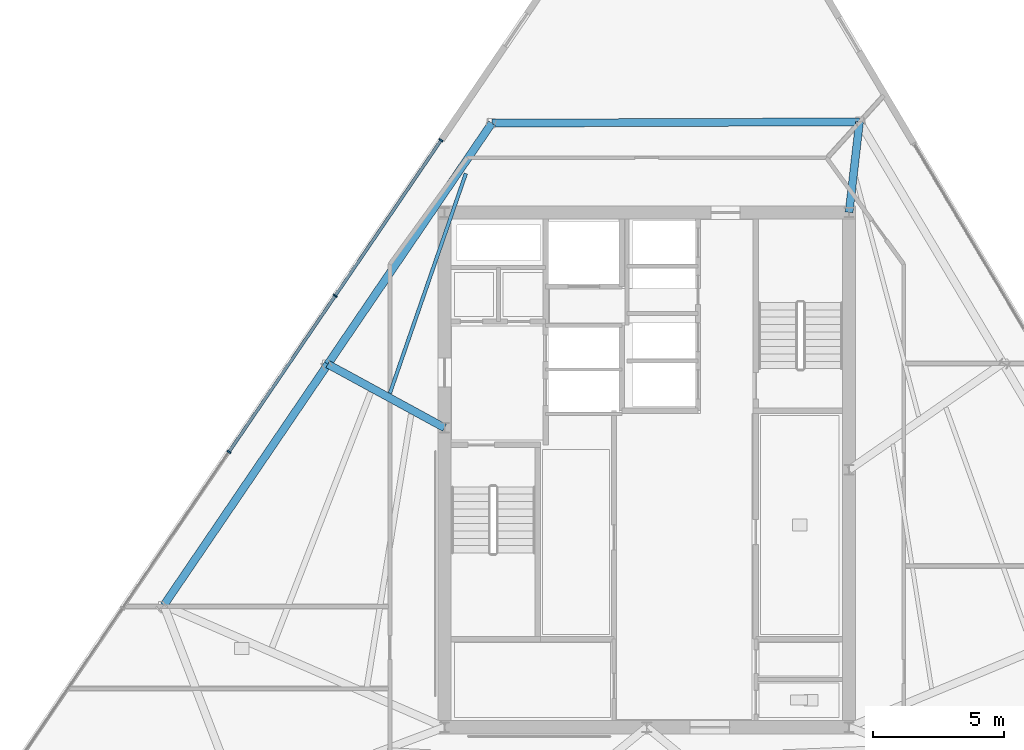
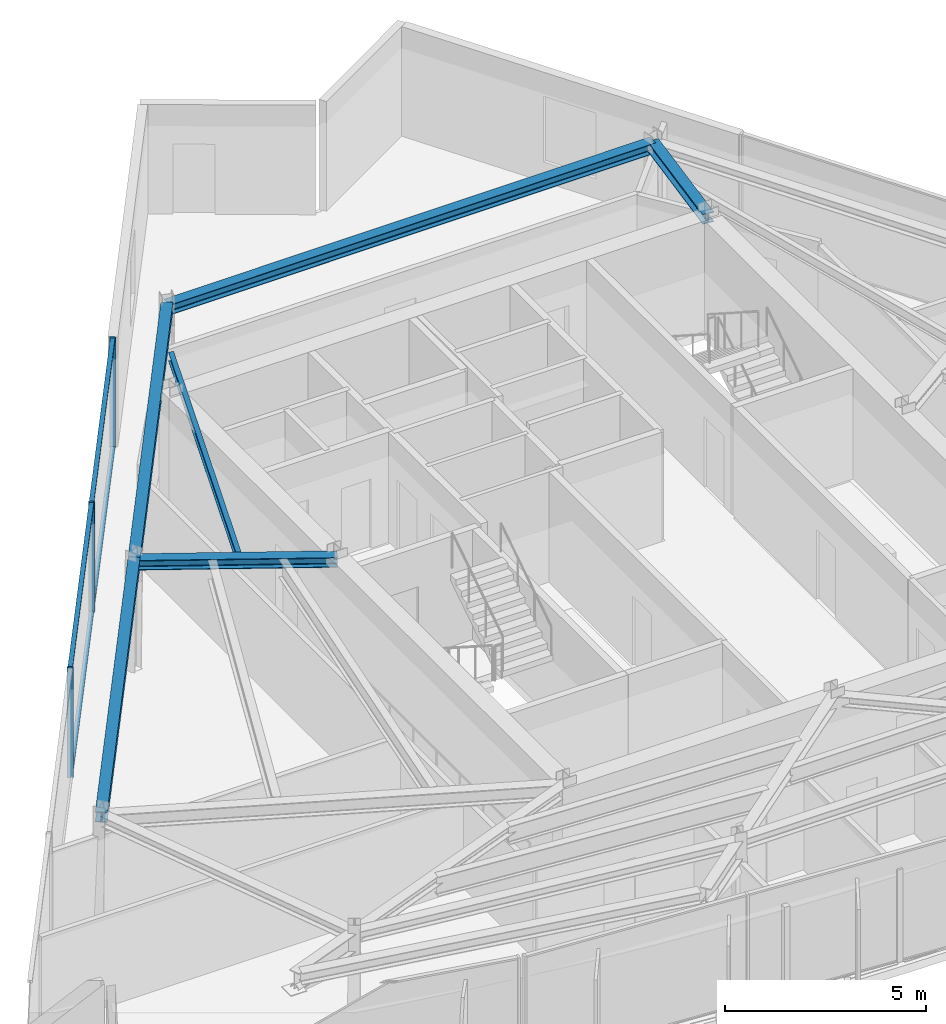
# One storey, part 4 of 12: 7 members, 6 beams, 1 element without a shape of its own.
"""IFC4 building model written with IfcOpenShell, lengths in metres."""

from ifc_helpers import new_model, si_unit, direction, frame, origin, origin_2d, place, context, subcontext, project, spatial, rectangle, i_section, extrude, material, material_profile, profile_set, type_object, element, aggregate, save


model = new_model("IFC4")

# Units and contexts
model_context = context("Model", 3, precision=1e-05, world=origin(), true_north=direction((0.0, 1.0)))
body_context = subcontext(model_context, "Body", "Model", "MODEL_VIEW")
ifc_project = project(units=[si_unit("LENGTHUNIT", "METRE"), si_unit("AREAUNIT", "SQUARE_METRE"), si_unit("VOLUMEUNIT", "CUBIC_METRE"), si_unit("PLANEANGLEUNIT", "RADIAN"), si_unit("MASSUNIT", "GRAM", prefix="KILO")], contexts=[model_context])

# Site, building, storey
site_placement = place(None, origin())
site = spatial("IfcSite", under=ifc_project, at=site_placement, CompositionType="ELEMENT")
building_placement = place(site_placement, origin())
building = spatial("IfcBuilding", under=site, at=building_placement, Name="Savorim Split Tower", CompositionType="ELEMENT")
storey_placement = place(building_placement, frame((0.0, 0.0, 268.800048828125)))
storey = spatial("IfcBuildingStorey", under=building, at=storey_placement, Name="L71", CompositionType="ELEMENT", Elevation=268.800048828125)

# Beams
ifc_material_1 = material(Name="Steel S355", Category="steel")
ifc_material_profile_1 = material_profile(ifc_material_1, i_section(OverallWidth=0.135009765625, OverallDepth=0.27001953125, WebThickness=0.006591796875, FlangeThickness=0.01025390625, FilletRadius=0.014892578125, at=origin_2d()), Name="IPE 270")
ifc_profile_set_1 = profile_set([ifc_material_profile_1], Name="Steel S355")
beam_type_1 = type_object("IfcBeamType", Name="BM-JST-IPE270", PredefinedType="JOIST", material=ifc_profile_set_1)
beam_1_placement = place(storey_placement, frame((-6.888671875, 11.679443359375, 3.21484375), z_axis=(-0.326683316038, -0.945133858785, 0.0), x_axis=(0.945133858785, -0.326683316038, 0.0)))
element("IfcBeam", 1, at=beam_1_placement, inside=storey, type_object=beam_type_1, Name="L71 Secondary Floor Joist JS-09", PredefinedType="JOIST", context=body_context, shape_type="SweptSolid", body=[
    extrude(i_section(OverallWidth=0.135009765625, OverallDepth=0.27001953125, WebThickness=0.006591796875, FlangeThickness=0.01025390625, FilletRadius=0.014892578125, at=origin_2d()), origin(), (0.0, 0.0, 1.0), 8.85205078125),
])
ifc_material_profile_2 = material_profile(ifc_material_1, i_section(OverallWidth=0.300048828125, OverallDepth=0.300048828125, WebThickness=0.010986328125, FlangeThickness=0.01904296875, FilletRadius=0.027099609375, at=origin_2d()), Name="HEB 300")
ifc_profile_set_2 = profile_set([ifc_material_profile_2], Name="Steel S355")
beam_type_2 = type_object("IfcBeamType", Name="BM-PRI-HEB300", PredefinedType="BEAM", material=ifc_profile_set_2)
beam_2_placement = place(storey_placement, frame((8.096923828125, 13.64599609375, 3.199951171875), z_axis=(-0.114439779274, -0.99343018724, 0.0), x_axis=(0.99343018724, -0.114439779274, 0.0)))
element("IfcBeam", 2, at=beam_2_placement, inside=storey, type_object=beam_type_2, Name="L71 Primary Floor Girder RG-07", PredefinedType="BEAM", context=body_context, shape_type="SweptSolid", body=[
    extrude(i_section(OverallWidth=0.300048828125, OverallDepth=0.300048828125, WebThickness=0.010986328125, FlangeThickness=0.01904296875, FilletRadius=0.027099609375, at=origin_2d()), origin(), (0.0, 0.0, 1.0), 3.46875),
])
beam_3_placement = place(storey_placement, frame((-12.1435546875, 4.42041015625, 3.199951171875), z_axis=(0.878175695597, -0.478338214722, 0.0), x_axis=(0.478338214722, 0.878175695597, 0.0)))
element("IfcBeam", 3, at=beam_3_placement, inside=storey, type_object=beam_type_2, Name="L71 Primary Floor Girder RG-09", PredefinedType="BEAM", context=body_context, shape_type="SweptSolid", body=[
    extrude(i_section(OverallWidth=0.300048828125, OverallDepth=0.300048828125, WebThickness=0.010986328125, FlangeThickness=0.01904296875, FilletRadius=0.027099609375, at=origin_2d()), origin(), (0.0, 0.0, 1.0), 5.06005859375),
])
ifc_material_profile_3 = material_profile(ifc_material_1, i_section(OverallWidth=0.300048828125, OverallDepth=0.31005859375, WebThickness=0.009033203125, FlangeThickness=0.015380859375, FilletRadius=0.027099609375, at=origin_2d()), Name="HEA 320")
ifc_profile_set_3 = profile_set([ifc_material_profile_3], Name="Steel S355")
beam_type_3 = type_object("IfcBeamType", Name="BM-SPN-HEA320", PredefinedType="SPANDREL", material=ifc_profile_set_3)
beam_4_placement = place(storey_placement, frame((8.096923828125, 13.64599609375, 3.195068359375), z_axis=(-0.999993976516, -0.003470868967, 0.0), x_axis=(0.003470868967, -0.999993976516, 0.0)))
element("IfcBeam", 4, at=beam_4_placement, inside=storey, type_object=beam_type_3, Name="L71 Perimeter Spandrel Beam 7", PredefinedType="SPANDREL", context=body_context, shape_type="SweptSolid", body=[
    extrude(i_section(OverallWidth=0.300048828125, OverallDepth=0.31005859375, WebThickness=0.009033203125, FlangeThickness=0.015380859375, FilletRadius=0.027099609375, at=origin_2d()), origin(), (0.0, 0.0, 1.0), 13.99755859375),
])
for number, where, z_axis, x_axis, name in (
    (5, (-5.900634765625, 13.597412109375, 3.195068359375), (-0.562467643391, -0.826819297149, 0.0), (0.826819297149, -0.562467643391, 0.0), "L71 Perimeter Spandrel Beam 8"),
    (6, (-12.1435546875, 4.42041015625, 3.195068359375), (-0.562467643391, -0.826819297149, 0.0), (0.826819297149, -0.562467643391, 0.0), "L71 Perimeter Spandrel Beam 9"),
):
    element("IfcBeam", number, at=place(storey_placement, frame(where, z_axis=z_axis, x_axis=x_axis)), inside=storey, type_object=beam_type_3, Name=name, PredefinedType="SPANDREL", context=body_context, shape_type="SweptSolid", body=[
        extrude(i_section(OverallWidth=0.300048828125, OverallDepth=0.31005859375, WebThickness=0.009033203125, FlangeThickness=0.015380859375, FilletRadius=0.027099609375, at=origin_2d()), origin(), (0.0, 0.0, 1.0), 11.09912109375),
    ])

# Curtain wall, members
ifc_material_2 = material(Name="Dark Ceramic-Fritted Insulated Glass", Category="glass")
curtain_wall_type = type_object("IfcCurtainWallType", Name="CW-TWR-FRIT-B", PredefinedType="NOTDEFINED", material=ifc_material_2)
curtain_wall_placement = place(storey_placement, origin())
curtain_wall = element("IfcCurtainWall", 7, at=curtain_wall_placement, inside=storey, type_object=curtain_wall_type, Name="L71 Curtain Wall CW-L71-WEST", PredefinedType="NOTDEFINED")
ifc_material_3 = material(Name="Charcoal Anodised Aluminium", Category="aluminium")
ifc_material_profile_4 = material_profile(ifc_material_3, rectangle(XDim=0.159912109375, YDim=0.06005859375, at=origin_2d()), Name="ALU-M 160x60")
ifc_profile_set_4 = profile_set([ifc_material_profile_4], Name="Charcoal Anodised Aluminium")
member_type_1 = type_object("IfcMemberType", Name="CWM-160x60", PredefinedType="MULLION", material=ifc_profile_set_4)
member_1_placement = place(storey_placement, frame((-7.833740234375, 12.946044921875, 0.0), z_axis=(0.0, 0.0, 1.0), x_axis=(0.826817472755, -0.562470325215, 0.0)))
member_1 = element("IfcMember", 8, at=member_1_placement, type_object=member_type_1, Name="CW-03 mullion 1", PredefinedType="MULLION", context=body_context, shape_type="SweptSolid", body=[
    extrude(rectangle(XDim=0.159912109375, YDim=0.06005859375, at=origin_2d()), origin(), (0.0, 0.0, 1.0), 3.349853515625),
])
member_2_placement = place(storey_placement, frame((-11.86181640625, 7.02490234375, 0.0), z_axis=(0.0, 0.0, 1.0), x_axis=(0.826817472755, -0.562470325215, 0.0)))
member_2 = element("IfcMember", 9, at=member_2_placement, type_object=member_type_1, Name="CW-03 mullion 2", PredefinedType="MULLION", context=body_context, shape_type="SweptSolid", body=[
    extrude(rectangle(XDim=0.159912109375, YDim=0.06005859375, at=origin_2d()), origin(), (0.0, 0.0, 1.0), 3.349853515625),
])
member_3_placement = place(storey_placement, frame((-15.906982421875, 1.078857421875, 0.0), z_axis=(0.0, 0.0, 1.0), x_axis=(0.826817472755, -0.562470325215, 0.0)))
member_3 = element("IfcMember", 10, at=member_3_placement, type_object=member_type_1, Name="CW-03 mullion 3", PredefinedType="MULLION", context=body_context, shape_type="SweptSolid", body=[
    extrude(rectangle(XDim=0.159912109375, YDim=0.06005859375, at=origin_2d()), origin(), (0.0, 0.0, 1.0), 3.349853515625),
])
ifc_material_profile_5 = material_profile(ifc_material_3, rectangle(XDim=0.1201171875, YDim=0.050048828125, at=origin_2d()), Name="ALU-T 120x50")
ifc_profile_set_5 = profile_set([ifc_material_profile_5], Name="Charcoal Anodised Aluminium")
member_type_2 = type_object("IfcMemberType", Name="CWT-120x50", PredefinedType="USERDEFINED", material=ifc_profile_set_5)
member_4_placement = place(storey_placement, frame((-7.8505859375, 12.92138671875, 0.02490234375), z_axis=(-0.562458582496, -0.826825461011, 0.0), x_axis=(0.826825461011, -0.562458582496, 0.0)))
member_4 = element("IfcMember", 11, at=member_4_placement, type_object=member_type_2, Name="CW-03 transom 1.1", ObjectType="TRANSOM", PredefinedType="USERDEFINED", context=body_context, shape_type="SweptSolid", body=[
    extrude(rectangle(XDim=0.1201171875, YDim=0.050048828125, at=origin_2d()), origin(), (0.0, 0.0, 1.0), 7.1015625),
])
member_5_placement = place(storey_placement, frame((-7.8505859375, 12.92138671875, 3.324951171875), z_axis=(-0.562458582496, -0.826825461011, 0.0), x_axis=(0.826825461011, -0.562458582496, 0.0)))
member_5 = element("IfcMember", 12, at=member_5_placement, type_object=member_type_2, Name="CW-03 transom 1.2", ObjectType="TRANSOM", PredefinedType="USERDEFINED", context=body_context, shape_type="SweptSolid", body=[
    extrude(rectangle(XDim=0.1201171875, YDim=0.050048828125, at=origin_2d()), origin(), (0.0, 0.0, 1.0), 7.1015625),
])
member_6_placement = place(storey_placement, frame((-11.878662109375, 7.0, 0.02490234375), z_axis=(-0.56248885338, -0.826804868045, 0.0), x_axis=(0.826804868045, -0.56248885338, 0.0)))
member_6 = element("IfcMember", 13, at=member_6_placement, type_object=member_type_2, Name="CW-03 transom 2.1", ObjectType="TRANSOM", PredefinedType="USERDEFINED", context=body_context, shape_type="SweptSolid", body=[
    extrude(rectangle(XDim=0.1201171875, YDim=0.050048828125, at=origin_2d()), origin(), (0.0, 0.0, 1.0), 7.131591796875),
])
member_7_placement = place(storey_placement, frame((-11.878662109375, 7.0, 3.324951171875), z_axis=(-0.56248885338, -0.826804868045, 0.0), x_axis=(0.826804868045, -0.56248885338, 0.0)))
member_7 = element("IfcMember", 14, at=member_7_placement, type_object=member_type_2, Name="CW-03 transom 2.2", ObjectType="TRANSOM", PredefinedType="USERDEFINED", context=body_context, shape_type="SweptSolid", body=[
    extrude(rectangle(XDim=0.1201171875, YDim=0.050048828125, at=origin_2d()), origin(), (0.0, 0.0, 1.0), 7.131591796875),
])
aggregate(curtain_wall, [member_1, member_2, member_3, member_4, member_5, member_6, member_7])

save(model, "model.ifc")
